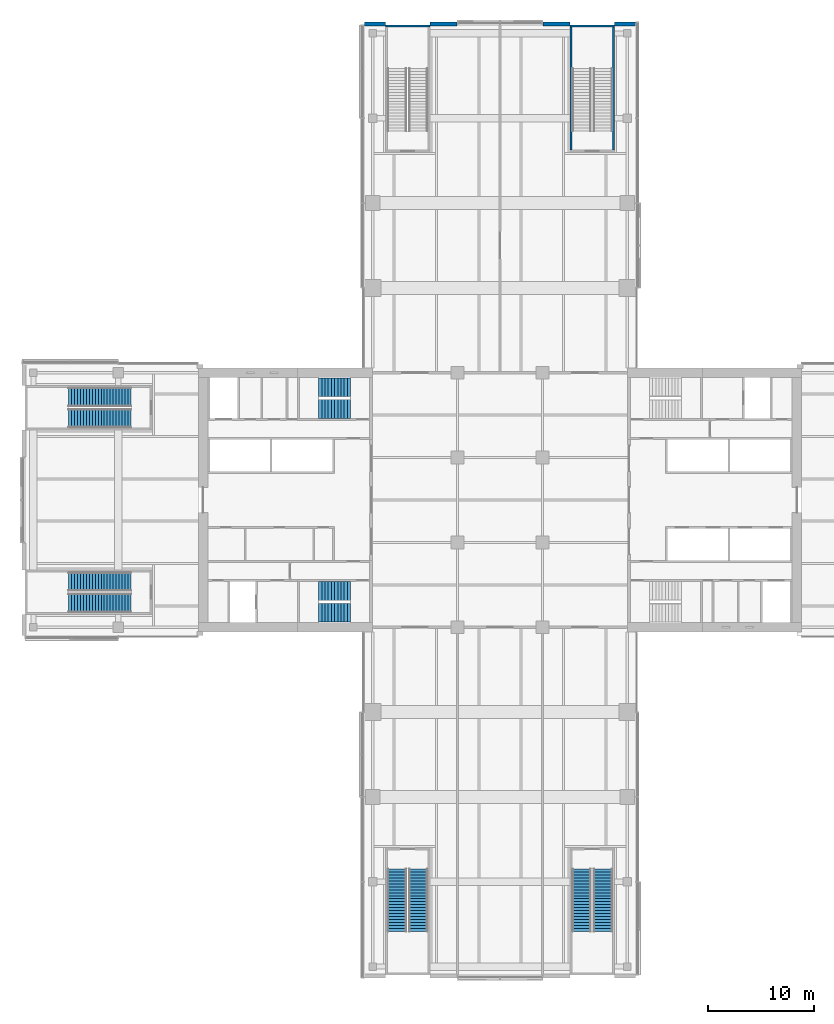
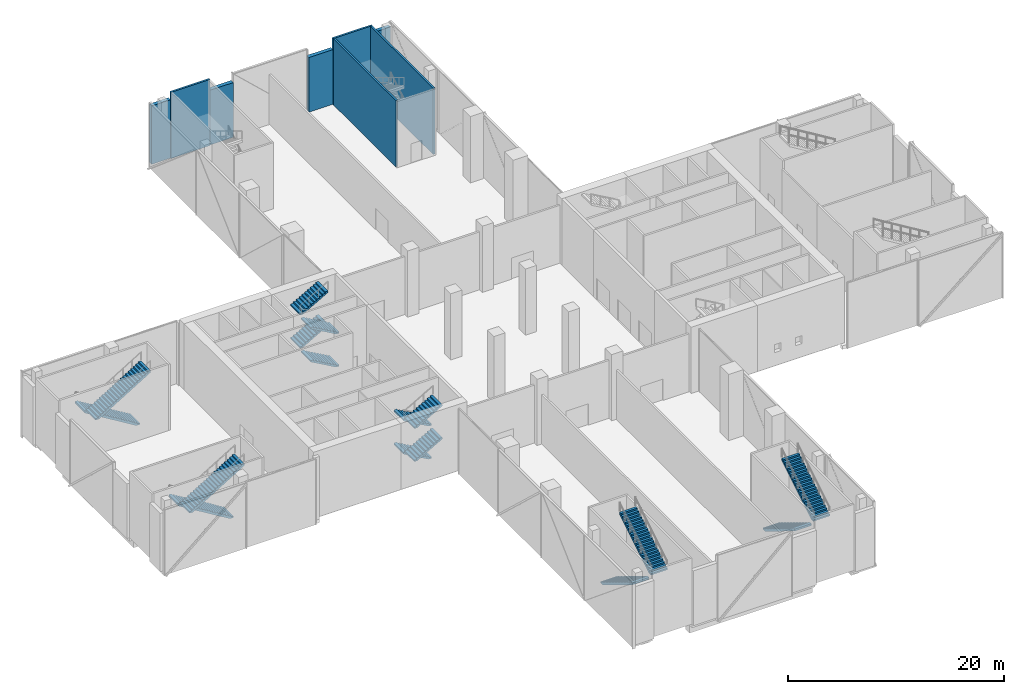
# One storey, part 18 of 25: 16 stair flights, 8 walls, 6 elements without a shape of their own.
"""IFC4 building model written with IfcOpenShell, lengths in metres."""

from ifc_helpers import new_model, si_unit, direction, frame, frame_2d, origin, place, context, subcontext, project, spatial, polyline, rectangle, outline, extrude, material, layer, layer_set, type_object, element, aggregate, save


model = new_model("IFC4")

# Units and contexts
model_context = context("Model", 3, precision=1e-05, world=origin(), true_north=direction((0.0, 1.0)))
body_context = subcontext(model_context, "Body", "Model", "MODEL_VIEW")
ifc_project = project(units=[si_unit("LENGTHUNIT", "METRE"), si_unit("AREAUNIT", "SQUARE_METRE"), si_unit("VOLUMEUNIT", "CUBIC_METRE"), si_unit("PLANEANGLEUNIT", "RADIAN"), si_unit("MASSUNIT", "GRAM", prefix="KILO")], contexts=[model_context])

# Site, building, storey
site_placement = place(None, origin())
site = spatial("IfcSite", under=ifc_project, at=site_placement, CompositionType="ELEMENT")
building_placement = place(site_placement, origin())
building = spatial("IfcBuilding", under=site, at=building_placement, Name="Crosswind Convention Tower", CompositionType="ELEMENT")
storey_placement = place(building_placement, frame((0.0, 0.0, 17.5)))
storey = spatial("IfcBuildingStorey", under=building, at=storey_placement, Name="L02", CompositionType="ELEMENT", Elevation=17.5)

# Walls
ifc_material_1 = material(Name="Concrete C40/50", Category="concrete")
ifc_layer_1 = layer(ifc_material_1, 0.199951171875)
ifc_layer_set_1 = layer_set([ifc_layer_1], Name="Concrete C40/50")
wall_type_1 = type_object("IfcWallType", Name="STAIR ENCLOSURE WALL 200", PredefinedType="SOLIDWALL", material=ifc_layer_set_1)
for number, where, z_axis, x_axis, name in (
    (1, (114.199951171875, 144.699951171875, 0.0), (0.0, 0.0, 1.0), (1.0, 0.0, 0.0), "Stair Enclosure Wall 22"),
    (2, (131.60009765625, 144.699951171875, 0.0), (0.0, 0.0, 1.0), (1.0, 0.0, 0.0), "Stair Enclosure Wall 23"),
):
    element("IfcWall", number, at=place(storey_placement, frame(where, z_axis=z_axis, x_axis=x_axis)), inside=storey, type_object=wall_type_1, Name=name, PredefinedType="SOLIDWALL", context=body_context, shape_type="SweptSolid", body=[
        extrude(rectangle(XDim=4.199951171875, YDim=0.199951171875, at=frame_2d((2.10009765625, 0.0))), origin(), (0.0, 0.0, 1.0), 7.5),
    ])
for number, where, z_axis, x_axis, name in (
    (3, (131.699951171875, 133.0, 0.0), (0.0, 0.0, 1.0), (0.0, 1.0, 0.0), "Stair Enclosure Wall 36"),
    (4, (135.699951171875, 133.0, 0.0), (0.0, 0.0, 1.0), (0.0, 1.0, 0.0), "Stair Enclosure Wall 38"),
):
    element("IfcWall", number, at=place(storey_placement, frame(where, z_axis=z_axis, x_axis=x_axis)), inside=storey, type_object=wall_type_1, Name=name, PredefinedType="SOLIDWALL", context=body_context, shape_type="SweptSolid", body=[
        extrude(rectangle(XDim=11.60009765625, YDim=0.199951171875, at=frame_2d((5.800048828125, 0.0))), origin(), (0.0, 0.0, 1.0), 7.5),
    ])
ifc_material_2 = material(Name="Terracotta rainscreen", Category="ceramic")
ifc_layer_2 = layer(ifc_material_2, 0.02001953125)
ifc_material_3 = material(Name="Mineral wool insulation", Category="insulation")
ifc_layer_3 = layer(ifc_material_3, 0.10009765625)
ifc_material_4 = material(Name="Concrete blockwork", Category="masonry")
ifc_layer_4 = layer(ifc_material_4, 0.280029296875)
ifc_layer_set_2 = layer_set([ifc_layer_2, ifc_layer_3, ifc_layer_4], Name="TERRACOTTA INFILL WALL 400")
wall_type_2 = type_object("IfcWallType", Name="TERRACOTTA INFILL WALL 400", PredefinedType="SOLIDWALL", material=ifc_layer_set_2)
wall_1_placement = place(storey_placement, frame((137.800048828125, 144.885009765625, 0.0), z_axis=(0.0, 0.0, 1.0), x_axis=(-1.0, 0.0, 0.0)))
element("IfcWall", 5, at=wall_1_placement, inside=storey, type_object=wall_type_2, Name="Stair enclosure side wall L02 N-TIP.1-1.1", PredefinedType="SOLIDWALL", context=body_context, shape_type="SweptSolid", body=[
    extrude(rectangle(XDim=2.0, YDim=0.39990234375, at=frame_2d((1.0, 0.0))), origin(), (0.0, 0.0, 1.0), 6.60009765625),
])
for number, where, z_axis, x_axis, name in (
    (6, (131.60009765625, 144.885009765625, 0.0), (0.0, 0.0, 1.0), (-1.0, 0.0, 0.0), "Stair enclosure side wall L02 N-TIP.1-1.2"),
    (7, (120.9599609375, 144.885009765625, 0.0), (0.0, 0.0, 1.0), (-1.0, 0.0, 0.0), "Stair enclosure side wall L02 N-TIP.1-3.1"),
):
    element("IfcWall", number, at=place(storey_placement, frame(where, z_axis=z_axis, x_axis=x_axis)), inside=storey, type_object=wall_type_2, Name=name, PredefinedType="SOLIDWALL", context=body_context, shape_type="SweptSolid", body=[
        extrude(rectangle(XDim=2.56005859375, YDim=0.39990234375, at=frame_2d((1.280029296875, 0.0))), origin(), (0.0, 0.0, 1.0), 6.199951171875),
    ])
wall_2_placement = place(storey_placement, frame((114.199951171875, 144.885009765625, 0.0), z_axis=(0.0, 0.0, 1.0), x_axis=(-1.0, 0.0, 0.0)))
element("IfcWall", 8, at=wall_2_placement, inside=storey, type_object=wall_type_2, Name="Stair enclosure side wall L02 N-TIP.1-3.2", PredefinedType="SOLIDWALL", context=body_context, shape_type="SweptSolid", body=[
    extrude(rectangle(XDim=2.0, YDim=0.39990234375, at=frame_2d((1.0, 0.0))), origin(), (0.0, 0.0, 1.0), 6.60009765625),
])

# Stair, stair flights
stair_type_1 = type_object("IfcStairType", Name="PODIUM EXIT STAIR 7500 RISE", PredefinedType="HALF_TURN_STAIR", material=ifc_material_1)
stair_1_placement = place(storey_placement, origin())
stair_1 = element("IfcStair", 9, at=stair_1_placement, inside=storey, type_object=stair_type_1, Name="Exit stair S1 L02", ObjectType="ST11", PredefinedType="HALF_TURN_STAIR")
stair_flight_type_1 = type_object("IfcStairFlightType", Name="PODIUM STAIR FLIGHT 22 RISERS", PredefinedType="STRAIGHT", material=ifc_material_1)
stair_flight_1_placement = place(storey_placement, frame((115.300048828125, 65.199951171875, 0.0), z_axis=(0.0, 0.0, 1.0), x_axis=(0.0, -1.0, 0.0)))
stair_flight_1 = element("IfcStairFlight", 10, at=stair_flight_1_placement, type_object=stair_flight_type_1, Name="ST11 flight 1", NumberOfRisers=22, NumberOfTreads=21, PredefinedType="STRAIGHT", RiserHeight=0.170455, TreadLength=0.28, context=body_context, shape_type="SweptSolid", body=[
    extrude(outline(polyline([(0.0, 0.0), (0.0, 0.17041015625), (0.280029296875, 0.17041015625), (0.280029296875, 0.3408203125), (0.56005859375, 0.3408203125), (0.56005859375, 0.511474609375), (0.840087890625, 0.511474609375), (0.840087890625, 0.681884765625), (1.1201171875, 0.681884765625), (1.1201171875, 0.852294921875), (1.39990234375, 0.852294921875), (1.39990234375, 1.022705078125), (1.679931640625, 1.022705078125), (1.679931640625, 1.193115234375), (1.9599609375, 1.193115234375), (1.9599609375, 1.363525390625), (2.239990234375, 1.363525390625), (2.239990234375, 1.5341796875), (2.52001953125, 1.5341796875), (2.52001953125, 1.70458984375), (2.800048828125, 1.70458984375), (2.800048828125, 1.875), (3.080078125, 1.875), (3.080078125, 2.04541015625), (3.360107421875, 2.04541015625), (3.360107421875, 2.2158203125), (3.639892578125, 2.2158203125), (3.639892578125, 2.386474609375), (3.919921875, 2.386474609375), (3.919921875, 2.556884765625), (4.199951171875, 2.556884765625), (4.199951171875, 2.727294921875), (4.47998046875, 2.727294921875), (4.47998046875, 2.897705078125), (4.760009765625, 2.897705078125), (4.760009765625, 3.068115234375), (5.0400390625, 3.068115234375), (5.0400390625, 3.238525390625), (5.320068359375, 3.238525390625), (5.320068359375, 3.4091796875), (5.60009765625, 3.4091796875), (5.60009765625, 3.57958984375), (5.8798828125, 3.57958984375), (5.8798828125, 3.75), (5.8798828125, 3.345458984375), (0.384521484375, 0.0), (0.0, 0.0)])), frame((0.0, 0.89990234375, 0.0), z_axis=(0.0, -1.0, 0.0), x_axis=(1.0, 0.0, 0.0)), (0.0, 0.0, 1.0), 1.800048828125),
])
stair_flight_2_placement = place(storey_placement, frame((117.300048828125, 59.320068359375, 3.75), z_axis=(0.0, 0.0, 1.0), x_axis=(0.0, 1.0, 0.0)))
stair_flight_2 = element("IfcStairFlight", 11, at=stair_flight_2_placement, type_object=stair_flight_type_1, Name="ST11 flight 2", NumberOfRisers=22, NumberOfTreads=21, PredefinedType="STRAIGHT", RiserHeight=0.170455, TreadLength=0.28, context=body_context, shape_type="SweptSolid", body=[
    extrude(outline(polyline([(0.0, 0.0), (0.0, 0.17041015625), (0.280029296875, 0.17041015625), (0.280029296875, 0.3408203125), (0.56005859375, 0.3408203125), (0.56005859375, 0.511474609375), (0.840087890625, 0.511474609375), (0.840087890625, 0.681884765625), (1.1201171875, 0.681884765625), (1.1201171875, 0.852294921875), (1.39990234375, 0.852294921875), (1.39990234375, 1.022705078125), (1.679931640625, 1.022705078125), (1.679931640625, 1.193115234375), (1.9599609375, 1.193115234375), (1.9599609375, 1.363525390625), (2.239990234375, 1.363525390625), (2.239990234375, 1.5341796875), (2.52001953125, 1.5341796875), (2.52001953125, 1.70458984375), (2.800048828125, 1.70458984375), (2.800048828125, 1.875), (3.080078125, 1.875), (3.080078125, 2.04541015625), (3.360107421875, 2.04541015625), (3.360107421875, 2.2158203125), (3.639892578125, 2.2158203125), (3.639892578125, 2.386474609375), (3.919921875, 2.386474609375), (3.919921875, 2.556884765625), (4.199951171875, 2.556884765625), (4.199951171875, 2.727294921875), (4.47998046875, 2.727294921875), (4.47998046875, 2.897705078125), (4.760009765625, 2.897705078125), (4.760009765625, 3.068115234375), (5.0400390625, 3.068115234375), (5.0400390625, 3.238525390625), (5.320068359375, 3.238525390625), (5.320068359375, 3.4091796875), (5.60009765625, 3.4091796875), (5.60009765625, 3.57958984375), (5.8798828125, 3.57958984375), (5.8798828125, 3.75), (5.8798828125, 3.345458984375), (0.384521484375, 0.0), (0.0, 0.0)])), frame((0.0, 0.89990234375, 0.0), z_axis=(0.0, -1.0, 0.0), x_axis=(1.0, 0.0, 0.0)), (0.0, 0.0, 1.0), 1.800048828125),
])
aggregate(stair_1, [stair_flight_1, stair_flight_2])

stair_2_placement = place(storey_placement, origin())
stair_2 = element("IfcStair", 12, at=stair_2_placement, inside=storey, type_object=stair_type_1, Name="Exit stair S2 L02", ObjectType="ST11", PredefinedType="HALF_TURN_STAIR")
stair_flight_3_placement = place(storey_placement, frame((132.699951171875, 65.199951171875, 0.0), z_axis=(0.0, 0.0, 1.0), x_axis=(0.0, -1.0, 0.0)))
stair_flight_3 = element("IfcStairFlight", 13, at=stair_flight_3_placement, type_object=stair_flight_type_1, Name="ST11 flight 1", NumberOfRisers=22, NumberOfTreads=21, PredefinedType="STRAIGHT", RiserHeight=0.170455, TreadLength=0.28, context=body_context, shape_type="SweptSolid", body=[
    extrude(outline(polyline([(0.0, 0.0), (0.0, 0.17041015625), (0.280029296875, 0.17041015625), (0.280029296875, 0.3408203125), (0.56005859375, 0.3408203125), (0.56005859375, 0.511474609375), (0.840087890625, 0.511474609375), (0.840087890625, 0.681884765625), (1.1201171875, 0.681884765625), (1.1201171875, 0.852294921875), (1.39990234375, 0.852294921875), (1.39990234375, 1.022705078125), (1.679931640625, 1.022705078125), (1.679931640625, 1.193115234375), (1.9599609375, 1.193115234375), (1.9599609375, 1.363525390625), (2.239990234375, 1.363525390625), (2.239990234375, 1.5341796875), (2.52001953125, 1.5341796875), (2.52001953125, 1.70458984375), (2.800048828125, 1.70458984375), (2.800048828125, 1.875), (3.080078125, 1.875), (3.080078125, 2.04541015625), (3.360107421875, 2.04541015625), (3.360107421875, 2.2158203125), (3.639892578125, 2.2158203125), (3.639892578125, 2.386474609375), (3.919921875, 2.386474609375), (3.919921875, 2.556884765625), (4.199951171875, 2.556884765625), (4.199951171875, 2.727294921875), (4.47998046875, 2.727294921875), (4.47998046875, 2.897705078125), (4.760009765625, 2.897705078125), (4.760009765625, 3.068115234375), (5.0400390625, 3.068115234375), (5.0400390625, 3.238525390625), (5.320068359375, 3.238525390625), (5.320068359375, 3.4091796875), (5.60009765625, 3.4091796875), (5.60009765625, 3.57958984375), (5.8798828125, 3.57958984375), (5.8798828125, 3.75), (5.8798828125, 3.345458984375), (0.384521484375, 0.0), (0.0, 0.0)])), frame((0.0, 0.89990234375, 0.0), z_axis=(0.0, -1.0, 0.0), x_axis=(1.0, 0.0, 0.0)), (0.0, 0.0, 1.0), 1.800048828125),
])
stair_flight_4_placement = place(storey_placement, frame((134.699951171875, 59.320068359375, 3.75), z_axis=(0.0, 0.0, 1.0), x_axis=(0.0, 1.0, 0.0)))
stair_flight_4 = element("IfcStairFlight", 14, at=stair_flight_4_placement, type_object=stair_flight_type_1, Name="ST11 flight 2", NumberOfRisers=22, NumberOfTreads=21, PredefinedType="STRAIGHT", RiserHeight=0.170455, TreadLength=0.28, context=body_context, shape_type="SweptSolid", body=[
    extrude(outline(polyline([(0.0, 0.0), (0.0, 0.17041015625), (0.280029296875, 0.17041015625), (0.280029296875, 0.3408203125), (0.56005859375, 0.3408203125), (0.56005859375, 0.511474609375), (0.840087890625, 0.511474609375), (0.840087890625, 0.681884765625), (1.1201171875, 0.681884765625), (1.1201171875, 0.852294921875), (1.39990234375, 0.852294921875), (1.39990234375, 1.022705078125), (1.679931640625, 1.022705078125), (1.679931640625, 1.193115234375), (1.9599609375, 1.193115234375), (1.9599609375, 1.363525390625), (2.239990234375, 1.363525390625), (2.239990234375, 1.5341796875), (2.52001953125, 1.5341796875), (2.52001953125, 1.70458984375), (2.800048828125, 1.70458984375), (2.800048828125, 1.875), (3.080078125, 1.875), (3.080078125, 2.04541015625), (3.360107421875, 2.04541015625), (3.360107421875, 2.2158203125), (3.639892578125, 2.2158203125), (3.639892578125, 2.386474609375), (3.919921875, 2.386474609375), (3.919921875, 2.556884765625), (4.199951171875, 2.556884765625), (4.199951171875, 2.727294921875), (4.47998046875, 2.727294921875), (4.47998046875, 2.897705078125), (4.760009765625, 2.897705078125), (4.760009765625, 3.068115234375), (5.0400390625, 3.068115234375), (5.0400390625, 3.238525390625), (5.320068359375, 3.238525390625), (5.320068359375, 3.4091796875), (5.60009765625, 3.4091796875), (5.60009765625, 3.57958984375), (5.8798828125, 3.57958984375), (5.8798828125, 3.75), (5.8798828125, 3.345458984375), (0.384521484375, 0.0), (0.0, 0.0)])), frame((0.0, 0.89990234375, 0.0), z_axis=(0.0, -1.0, 0.0), x_axis=(1.0, 0.0, 0.0)), (0.0, 0.0, 1.0), 1.800048828125),
])
aggregate(stair_2, [stair_flight_3, stair_flight_4])

stair_3_placement = place(storey_placement, origin())
stair_3 = element("IfcStair", 15, at=stair_3_placement, inside=storey, type_object=stair_type_1, Name="Exit stair W1 L02", ObjectType="ST11", PredefinedType="HALF_TURN_STAIR")
stair_flight_5_placement = place(storey_placement, frame((90.199951171875, 92.300048828125, 0.0), z_axis=(0.0, 0.0, 1.0), x_axis=(-1.0, 0.0, 0.0)))
stair_flight_5 = element("IfcStairFlight", 16, at=stair_flight_5_placement, type_object=stair_flight_type_1, Name="ST11 flight 1", NumberOfRisers=22, NumberOfTreads=21, PredefinedType="STRAIGHT", RiserHeight=0.170455, TreadLength=0.28, context=body_context, shape_type="SweptSolid", body=[
    extrude(outline(polyline([(0.0, 0.0), (0.0, 0.17041015625), (0.280029296875, 0.17041015625), (0.280029296875, 0.3408203125), (0.56005859375, 0.3408203125), (0.56005859375, 0.511474609375), (0.840087890625, 0.511474609375), (0.840087890625, 0.681884765625), (1.1201171875, 0.681884765625), (1.1201171875, 0.852294921875), (1.39990234375, 0.852294921875), (1.39990234375, 1.022705078125), (1.679931640625, 1.022705078125), (1.679931640625, 1.193115234375), (1.9599609375, 1.193115234375), (1.9599609375, 1.363525390625), (2.239990234375, 1.363525390625), (2.239990234375, 1.5341796875), (2.52001953125, 1.5341796875), (2.52001953125, 1.70458984375), (2.800048828125, 1.70458984375), (2.800048828125, 1.875), (3.080078125, 1.875), (3.080078125, 2.04541015625), (3.360107421875, 2.04541015625), (3.360107421875, 2.2158203125), (3.639892578125, 2.2158203125), (3.639892578125, 2.386474609375), (3.919921875, 2.386474609375), (3.919921875, 2.556884765625), (4.199951171875, 2.556884765625), (4.199951171875, 2.727294921875), (4.47998046875, 2.727294921875), (4.47998046875, 2.897705078125), (4.760009765625, 2.897705078125), (4.760009765625, 3.068115234375), (5.0400390625, 3.068115234375), (5.0400390625, 3.238525390625), (5.320068359375, 3.238525390625), (5.320068359375, 3.4091796875), (5.60009765625, 3.4091796875), (5.60009765625, 3.57958984375), (5.8798828125, 3.57958984375), (5.8798828125, 3.75), (5.8798828125, 3.345458984375), (0.384521484375, 0.0), (0.0, 0.0)])), frame((0.0, 0.89990234375, 0.0), z_axis=(0.0, -1.0, 0.0), x_axis=(1.0, 0.0, 0.0)), (0.0, 0.0, 1.0), 1.800048828125),
])
stair_flight_6_placement = place(storey_placement, frame((84.320068359375, 90.300048828125, 3.75), z_axis=(0.0, 0.0, 1.0), x_axis=(1.0, 0.0, 0.0)))
stair_flight_6 = element("IfcStairFlight", 17, at=stair_flight_6_placement, type_object=stair_flight_type_1, Name="ST11 flight 2", NumberOfRisers=22, NumberOfTreads=21, PredefinedType="STRAIGHT", RiserHeight=0.170455, TreadLength=0.28, context=body_context, shape_type="SweptSolid", body=[
    extrude(outline(polyline([(0.0, 0.0), (0.0, 0.17041015625), (0.280029296875, 0.17041015625), (0.280029296875, 0.3408203125), (0.56005859375, 0.3408203125), (0.56005859375, 0.511474609375), (0.840087890625, 0.511474609375), (0.840087890625, 0.681884765625), (1.1201171875, 0.681884765625), (1.1201171875, 0.852294921875), (1.39990234375, 0.852294921875), (1.39990234375, 1.022705078125), (1.679931640625, 1.022705078125), (1.679931640625, 1.193115234375), (1.9599609375, 1.193115234375), (1.9599609375, 1.363525390625), (2.239990234375, 1.363525390625), (2.239990234375, 1.5341796875), (2.52001953125, 1.5341796875), (2.52001953125, 1.70458984375), (2.800048828125, 1.70458984375), (2.800048828125, 1.875), (3.080078125, 1.875), (3.080078125, 2.04541015625), (3.360107421875, 2.04541015625), (3.360107421875, 2.2158203125), (3.639892578125, 2.2158203125), (3.639892578125, 2.386474609375), (3.919921875, 2.386474609375), (3.919921875, 2.556884765625), (4.199951171875, 2.556884765625), (4.199951171875, 2.727294921875), (4.47998046875, 2.727294921875), (4.47998046875, 2.897705078125), (4.760009765625, 2.897705078125), (4.760009765625, 3.068115234375), (5.0400390625, 3.068115234375), (5.0400390625, 3.238525390625), (5.320068359375, 3.238525390625), (5.320068359375, 3.4091796875), (5.60009765625, 3.4091796875), (5.60009765625, 3.57958984375), (5.8798828125, 3.57958984375), (5.8798828125, 3.75), (5.8798828125, 3.345458984375), (0.384521484375, 0.0), (0.0, 0.0)])), frame((0.0, 0.89990234375, 0.0), z_axis=(0.0, -1.0, 0.0), x_axis=(1.0, 0.0, 0.0)), (0.0, 0.0, 1.0), 1.800048828125),
])
aggregate(stair_3, [stair_flight_5, stair_flight_6])

stair_4_placement = place(storey_placement, origin())
stair_4 = element("IfcStair", 18, at=stair_4_placement, inside=storey, type_object=stair_type_1, Name="Exit stair W2 L02", ObjectType="ST11", PredefinedType="HALF_TURN_STAIR")
stair_flight_7_placement = place(storey_placement, frame((90.199951171875, 109.699951171875, 0.0), z_axis=(0.0, 0.0, 1.0), x_axis=(-1.0, 0.0, 0.0)))
stair_flight_7 = element("IfcStairFlight", 19, at=stair_flight_7_placement, type_object=stair_flight_type_1, Name="ST11 flight 1", NumberOfRisers=22, NumberOfTreads=21, PredefinedType="STRAIGHT", RiserHeight=0.170455, TreadLength=0.28, context=body_context, shape_type="SweptSolid", body=[
    extrude(outline(polyline([(0.0, 0.0), (0.0, 0.17041015625), (0.280029296875, 0.17041015625), (0.280029296875, 0.3408203125), (0.56005859375, 0.3408203125), (0.56005859375, 0.511474609375), (0.840087890625, 0.511474609375), (0.840087890625, 0.681884765625), (1.1201171875, 0.681884765625), (1.1201171875, 0.852294921875), (1.39990234375, 0.852294921875), (1.39990234375, 1.022705078125), (1.679931640625, 1.022705078125), (1.679931640625, 1.193115234375), (1.9599609375, 1.193115234375), (1.9599609375, 1.363525390625), (2.239990234375, 1.363525390625), (2.239990234375, 1.5341796875), (2.52001953125, 1.5341796875), (2.52001953125, 1.70458984375), (2.800048828125, 1.70458984375), (2.800048828125, 1.875), (3.080078125, 1.875), (3.080078125, 2.04541015625), (3.360107421875, 2.04541015625), (3.360107421875, 2.2158203125), (3.639892578125, 2.2158203125), (3.639892578125, 2.386474609375), (3.919921875, 2.386474609375), (3.919921875, 2.556884765625), (4.199951171875, 2.556884765625), (4.199951171875, 2.727294921875), (4.47998046875, 2.727294921875), (4.47998046875, 2.897705078125), (4.760009765625, 2.897705078125), (4.760009765625, 3.068115234375), (5.0400390625, 3.068115234375), (5.0400390625, 3.238525390625), (5.320068359375, 3.238525390625), (5.320068359375, 3.4091796875), (5.60009765625, 3.4091796875), (5.60009765625, 3.57958984375), (5.8798828125, 3.57958984375), (5.8798828125, 3.75), (5.8798828125, 3.345458984375), (0.384521484375, 0.0), (0.0, 0.0)])), frame((0.0, 0.89990234375, 0.0), z_axis=(0.0, -1.0, 0.0), x_axis=(1.0, 0.0, 0.0)), (0.0, 0.0, 1.0), 1.800048828125),
])
stair_flight_8_placement = place(storey_placement, frame((84.320068359375, 107.699951171875, 3.75), z_axis=(0.0, 0.0, 1.0), x_axis=(1.0, 0.0, 0.0)))
stair_flight_8 = element("IfcStairFlight", 20, at=stair_flight_8_placement, type_object=stair_flight_type_1, Name="ST11 flight 2", NumberOfRisers=22, NumberOfTreads=21, PredefinedType="STRAIGHT", RiserHeight=0.170455, TreadLength=0.28, context=body_context, shape_type="SweptSolid", body=[
    extrude(outline(polyline([(0.0, 0.0), (0.0, 0.17041015625), (0.280029296875, 0.17041015625), (0.280029296875, 0.3408203125), (0.56005859375, 0.3408203125), (0.56005859375, 0.511474609375), (0.840087890625, 0.511474609375), (0.840087890625, 0.681884765625), (1.1201171875, 0.681884765625), (1.1201171875, 0.852294921875), (1.39990234375, 0.852294921875), (1.39990234375, 1.022705078125), (1.679931640625, 1.022705078125), (1.679931640625, 1.193115234375), (1.9599609375, 1.193115234375), (1.9599609375, 1.363525390625), (2.239990234375, 1.363525390625), (2.239990234375, 1.5341796875), (2.52001953125, 1.5341796875), (2.52001953125, 1.70458984375), (2.800048828125, 1.70458984375), (2.800048828125, 1.875), (3.080078125, 1.875), (3.080078125, 2.04541015625), (3.360107421875, 2.04541015625), (3.360107421875, 2.2158203125), (3.639892578125, 2.2158203125), (3.639892578125, 2.386474609375), (3.919921875, 2.386474609375), (3.919921875, 2.556884765625), (4.199951171875, 2.556884765625), (4.199951171875, 2.727294921875), (4.47998046875, 2.727294921875), (4.47998046875, 2.897705078125), (4.760009765625, 2.897705078125), (4.760009765625, 3.068115234375), (5.0400390625, 3.068115234375), (5.0400390625, 3.238525390625), (5.320068359375, 3.238525390625), (5.320068359375, 3.4091796875), (5.60009765625, 3.4091796875), (5.60009765625, 3.57958984375), (5.8798828125, 3.57958984375), (5.8798828125, 3.75), (5.8798828125, 3.345458984375), (0.384521484375, 0.0), (0.0, 0.0)])), frame((0.0, 0.89990234375, 0.0), z_axis=(0.0, -1.0, 0.0), x_axis=(1.0, 0.0, 0.0)), (0.0, 0.0, 1.0), 1.800048828125),
])
aggregate(stair_4, [stair_flight_7, stair_flight_8])

stair_type_2 = type_object("IfcStairType", Name="Exit stair 1800 wide, 4 flights of 11 risers", PredefinedType="HALF_TURN_STAIR", material=ifc_material_1)
stair_5_placement = place(storey_placement, origin())
stair_5 = element("IfcStair", 21, at=stair_5_placement, inside=storey, type_object=stair_type_2, Name="Exit stair ST3 L02", ObjectType="ST6", PredefinedType="HALF_TURN_STAIR")
stair_flight_type_2 = type_object("IfcStairFlightType", Name="Stair flight 1800 wide, 11 risers (SF3)", PredefinedType="STRAIGHT", material=ifc_material_1)
stair_flight_9_placement = place(storey_placement, frame((110.89990234375, 91.39990234375, 0.0), z_axis=(0.0, 0.0, 1.0), x_axis=(-1.0, 0.0, 0.0)))
stair_flight_9 = element("IfcStairFlight", 22, at=stair_flight_9_placement, type_object=stair_flight_type_2, Name="ST3 flight 1", NumberOfRisers=11, NumberOfTreads=10, PredefinedType="STRAIGHT", RiserHeight=0.170454545, TreadLength=0.3, context=body_context, shape_type="SweptSolid", body=[
    extrude(outline(polyline([(0.0, 0.0), (0.0, 0.17041015625), (0.300048828125, 0.17041015625), (0.300048828125, 0.3408203125), (0.60009765625, 0.3408203125), (0.60009765625, 0.511474609375), (0.89990234375, 0.511474609375), (0.89990234375, 0.681884765625), (1.199951171875, 0.681884765625), (1.199951171875, 0.852294921875), (1.5, 0.852294921875), (1.5, 1.022705078125), (1.800048828125, 1.022705078125), (1.800048828125, 1.193115234375), (2.10009765625, 1.193115234375), (2.10009765625, 1.363525390625), (2.39990234375, 1.363525390625), (2.39990234375, 1.5341796875), (2.699951171875, 1.5341796875), (2.699951171875, 1.70458984375), (3.0, 1.70458984375), (3.0, 1.875), (3.0, 1.5322265625), (0.303466796875, 0.0), (0.0, 0.0)])), frame((0.0, 0.89990234375, 0.0), z_axis=(0.0, -1.0, 0.0), x_axis=(1.0, 0.0, 0.0)), (0.0, 0.0, 1.0), 1.800048828125),
])
stair_flight_10_placement = place(storey_placement, frame((107.89990234375, 89.39990234375, 1.875), z_axis=(0.0, 0.0, 1.0), x_axis=(1.0, 0.0, 0.0)))
stair_flight_10 = element("IfcStairFlight", 23, at=stair_flight_10_placement, type_object=stair_flight_type_2, Name="ST3 flight 2", NumberOfRisers=11, NumberOfTreads=10, PredefinedType="STRAIGHT", RiserHeight=0.170454545, TreadLength=0.3, context=body_context, shape_type="SweptSolid", body=[
    extrude(outline(polyline([(0.0, 0.0), (0.0, 0.17041015625), (0.300048828125, 0.17041015625), (0.300048828125, 0.3408203125), (0.60009765625, 0.3408203125), (0.60009765625, 0.511474609375), (0.89990234375, 0.511474609375), (0.89990234375, 0.681884765625), (1.199951171875, 0.681884765625), (1.199951171875, 0.852294921875), (1.5, 0.852294921875), (1.5, 1.022705078125), (1.800048828125, 1.022705078125), (1.800048828125, 1.193115234375), (2.10009765625, 1.193115234375), (2.10009765625, 1.363525390625), (2.39990234375, 1.363525390625), (2.39990234375, 1.5341796875), (2.699951171875, 1.5341796875), (2.699951171875, 1.70458984375), (3.0, 1.70458984375), (3.0, 1.875), (3.0, 1.5322265625), (0.303466796875, 0.0), (0.0, 0.0)])), frame((0.0, 0.89990234375, 0.0), z_axis=(0.0, -1.0, 0.0), x_axis=(1.0, 0.0, 0.0)), (0.0, 0.0, 1.0), 1.800048828125),
])
stair_flight_11_placement = place(storey_placement, frame((110.89990234375, 91.39990234375, 3.75), z_axis=(0.0, 0.0, 1.0), x_axis=(-1.0, 0.0, 0.0)))
stair_flight_11 = element("IfcStairFlight", 24, at=stair_flight_11_placement, type_object=stair_flight_type_2, Name="ST3 flight 3", NumberOfRisers=11, NumberOfTreads=10, PredefinedType="STRAIGHT", RiserHeight=0.170454545, TreadLength=0.3, context=body_context, shape_type="SweptSolid", body=[
    extrude(outline(polyline([(0.0, 0.0), (0.0, 0.17041015625), (0.300048828125, 0.17041015625), (0.300048828125, 0.3408203125), (0.60009765625, 0.3408203125), (0.60009765625, 0.511474609375), (0.89990234375, 0.511474609375), (0.89990234375, 0.681884765625), (1.199951171875, 0.681884765625), (1.199951171875, 0.852294921875), (1.5, 0.852294921875), (1.5, 1.022705078125), (1.800048828125, 1.022705078125), (1.800048828125, 1.193115234375), (2.10009765625, 1.193115234375), (2.10009765625, 1.363525390625), (2.39990234375, 1.363525390625), (2.39990234375, 1.5341796875), (2.699951171875, 1.5341796875), (2.699951171875, 1.70458984375), (3.0, 1.70458984375), (3.0, 1.875), (3.0, 1.5322265625), (0.303466796875, 0.0), (0.0, 0.0)])), frame((0.0, 0.89990234375, 0.0), z_axis=(0.0, -1.0, 0.0), x_axis=(1.0, 0.0, 0.0)), (0.0, 0.0, 1.0), 1.800048828125),
])
stair_flight_12_placement = place(storey_placement, frame((107.89990234375, 89.39990234375, 5.625), z_axis=(0.0, 0.0, 1.0), x_axis=(1.0, 0.0, 0.0)))
stair_flight_12 = element("IfcStairFlight", 25, at=stair_flight_12_placement, type_object=stair_flight_type_2, Name="ST3 flight 4", NumberOfRisers=11, NumberOfTreads=10, PredefinedType="STRAIGHT", RiserHeight=0.170454545, TreadLength=0.3, context=body_context, shape_type="SweptSolid", body=[
    extrude(outline(polyline([(0.0, 0.0), (0.0, 0.17041015625), (0.300048828125, 0.17041015625), (0.300048828125, 0.3408203125), (0.60009765625, 0.3408203125), (0.60009765625, 0.511474609375), (0.89990234375, 0.511474609375), (0.89990234375, 0.681884765625), (1.199951171875, 0.681884765625), (1.199951171875, 0.852294921875), (1.5, 0.852294921875), (1.5, 1.022705078125), (1.800048828125, 1.022705078125), (1.800048828125, 1.193115234375), (2.10009765625, 1.193115234375), (2.10009765625, 1.363525390625), (2.39990234375, 1.363525390625), (2.39990234375, 1.5341796875), (2.699951171875, 1.5341796875), (2.699951171875, 1.70458984375), (3.0, 1.70458984375), (3.0, 1.875), (3.0, 1.5322265625), (0.303466796875, 0.0), (0.0, 0.0)])), frame((0.0, 0.89990234375, 0.0), z_axis=(0.0, -1.0, 0.0), x_axis=(1.0, 0.0, 0.0)), (0.0, 0.0, 1.0), 1.800048828125),
])
aggregate(stair_5, [stair_flight_9, stair_flight_10, stair_flight_11, stair_flight_12])

stair_6_placement = place(storey_placement, origin())
stair_6 = element("IfcStair", 26, at=stair_6_placement, inside=storey, type_object=stair_type_2, Name="Exit stair ST4 L02", ObjectType="ST6", PredefinedType="HALF_TURN_STAIR")
stair_flight_13_placement = place(storey_placement, frame((110.89990234375, 108.60009765625, 0.0), z_axis=(0.0, 0.0, 1.0), x_axis=(-1.0, 0.0, 0.0)))
stair_flight_13 = element("IfcStairFlight", 27, at=stair_flight_13_placement, type_object=stair_flight_type_2, Name="ST4 flight 1", NumberOfRisers=11, NumberOfTreads=10, PredefinedType="STRAIGHT", RiserHeight=0.170454545, TreadLength=0.3, context=body_context, shape_type="SweptSolid", body=[
    extrude(outline(polyline([(0.0, 0.0), (0.0, 0.17041015625), (0.300048828125, 0.17041015625), (0.300048828125, 0.3408203125), (0.60009765625, 0.3408203125), (0.60009765625, 0.511474609375), (0.89990234375, 0.511474609375), (0.89990234375, 0.681884765625), (1.199951171875, 0.681884765625), (1.199951171875, 0.852294921875), (1.5, 0.852294921875), (1.5, 1.022705078125), (1.800048828125, 1.022705078125), (1.800048828125, 1.193115234375), (2.10009765625, 1.193115234375), (2.10009765625, 1.363525390625), (2.39990234375, 1.363525390625), (2.39990234375, 1.5341796875), (2.699951171875, 1.5341796875), (2.699951171875, 1.70458984375), (3.0, 1.70458984375), (3.0, 1.875), (3.0, 1.5322265625), (0.303466796875, 0.0), (0.0, 0.0)])), frame((0.0, 0.89990234375, 0.0), z_axis=(0.0, -1.0, 0.0), x_axis=(1.0, 0.0, 0.0)), (0.0, 0.0, 1.0), 1.800048828125),
])
stair_flight_14_placement = place(storey_placement, frame((107.89990234375, 110.60009765625, 1.875), z_axis=(0.0, 0.0, 1.0), x_axis=(1.0, 0.0, 0.0)))
stair_flight_14 = element("IfcStairFlight", 28, at=stair_flight_14_placement, type_object=stair_flight_type_2, Name="ST4 flight 2", NumberOfRisers=11, NumberOfTreads=10, PredefinedType="STRAIGHT", RiserHeight=0.170454545, TreadLength=0.3, context=body_context, shape_type="SweptSolid", body=[
    extrude(outline(polyline([(0.0, 0.0), (0.0, 0.17041015625), (0.300048828125, 0.17041015625), (0.300048828125, 0.3408203125), (0.60009765625, 0.3408203125), (0.60009765625, 0.511474609375), (0.89990234375, 0.511474609375), (0.89990234375, 0.681884765625), (1.199951171875, 0.681884765625), (1.199951171875, 0.852294921875), (1.5, 0.852294921875), (1.5, 1.022705078125), (1.800048828125, 1.022705078125), (1.800048828125, 1.193115234375), (2.10009765625, 1.193115234375), (2.10009765625, 1.363525390625), (2.39990234375, 1.363525390625), (2.39990234375, 1.5341796875), (2.699951171875, 1.5341796875), (2.699951171875, 1.70458984375), (3.0, 1.70458984375), (3.0, 1.875), (3.0, 1.5322265625), (0.303466796875, 0.0), (0.0, 0.0)])), frame((0.0, 0.89990234375, 0.0), z_axis=(0.0, -1.0, 0.0), x_axis=(1.0, 0.0, 0.0)), (0.0, 0.0, 1.0), 1.800048828125),
])
stair_flight_15_placement = place(storey_placement, frame((110.89990234375, 108.60009765625, 3.75), z_axis=(0.0, 0.0, 1.0), x_axis=(-1.0, 0.0, 0.0)))
stair_flight_15 = element("IfcStairFlight", 29, at=stair_flight_15_placement, type_object=stair_flight_type_2, Name="ST4 flight 3", NumberOfRisers=11, NumberOfTreads=10, PredefinedType="STRAIGHT", RiserHeight=0.170454545, TreadLength=0.3, context=body_context, shape_type="SweptSolid", body=[
    extrude(outline(polyline([(0.0, 0.0), (0.0, 0.17041015625), (0.300048828125, 0.17041015625), (0.300048828125, 0.3408203125), (0.60009765625, 0.3408203125), (0.60009765625, 0.511474609375), (0.89990234375, 0.511474609375), (0.89990234375, 0.681884765625), (1.199951171875, 0.681884765625), (1.199951171875, 0.852294921875), (1.5, 0.852294921875), (1.5, 1.022705078125), (1.800048828125, 1.022705078125), (1.800048828125, 1.193115234375), (2.10009765625, 1.193115234375), (2.10009765625, 1.363525390625), (2.39990234375, 1.363525390625), (2.39990234375, 1.5341796875), (2.699951171875, 1.5341796875), (2.699951171875, 1.70458984375), (3.0, 1.70458984375), (3.0, 1.875), (3.0, 1.5322265625), (0.303466796875, 0.0), (0.0, 0.0)])), frame((0.0, 0.89990234375, 0.0), z_axis=(0.0, -1.0, 0.0), x_axis=(1.0, 0.0, 0.0)), (0.0, 0.0, 1.0), 1.800048828125),
])
stair_flight_16_placement = place(storey_placement, frame((107.89990234375, 110.60009765625, 5.625), z_axis=(0.0, 0.0, 1.0), x_axis=(1.0, 0.0, 0.0)))
stair_flight_16 = element("IfcStairFlight", 30, at=stair_flight_16_placement, type_object=stair_flight_type_2, Name="ST4 flight 4", NumberOfRisers=11, NumberOfTreads=10, PredefinedType="STRAIGHT", RiserHeight=0.170454545, TreadLength=0.3, context=body_context, shape_type="SweptSolid", body=[
    extrude(outline(polyline([(0.0, 0.0), (0.0, 0.17041015625), (0.300048828125, 0.17041015625), (0.300048828125, 0.3408203125), (0.60009765625, 0.3408203125), (0.60009765625, 0.511474609375), (0.89990234375, 0.511474609375), (0.89990234375, 0.681884765625), (1.199951171875, 0.681884765625), (1.199951171875, 0.852294921875), (1.5, 0.852294921875), (1.5, 1.022705078125), (1.800048828125, 1.022705078125), (1.800048828125, 1.193115234375), (2.10009765625, 1.193115234375), (2.10009765625, 1.363525390625), (2.39990234375, 1.363525390625), (2.39990234375, 1.5341796875), (2.699951171875, 1.5341796875), (2.699951171875, 1.70458984375), (3.0, 1.70458984375), (3.0, 1.875), (3.0, 1.5322265625), (0.303466796875, 0.0), (0.0, 0.0)])), frame((0.0, 0.89990234375, 0.0), z_axis=(0.0, -1.0, 0.0), x_axis=(1.0, 0.0, 0.0)), (0.0, 0.0, 1.0), 1.800048828125),
])
aggregate(stair_6, [stair_flight_13, stair_flight_14, stair_flight_15, stair_flight_16])

save(model, "model.ifc")
